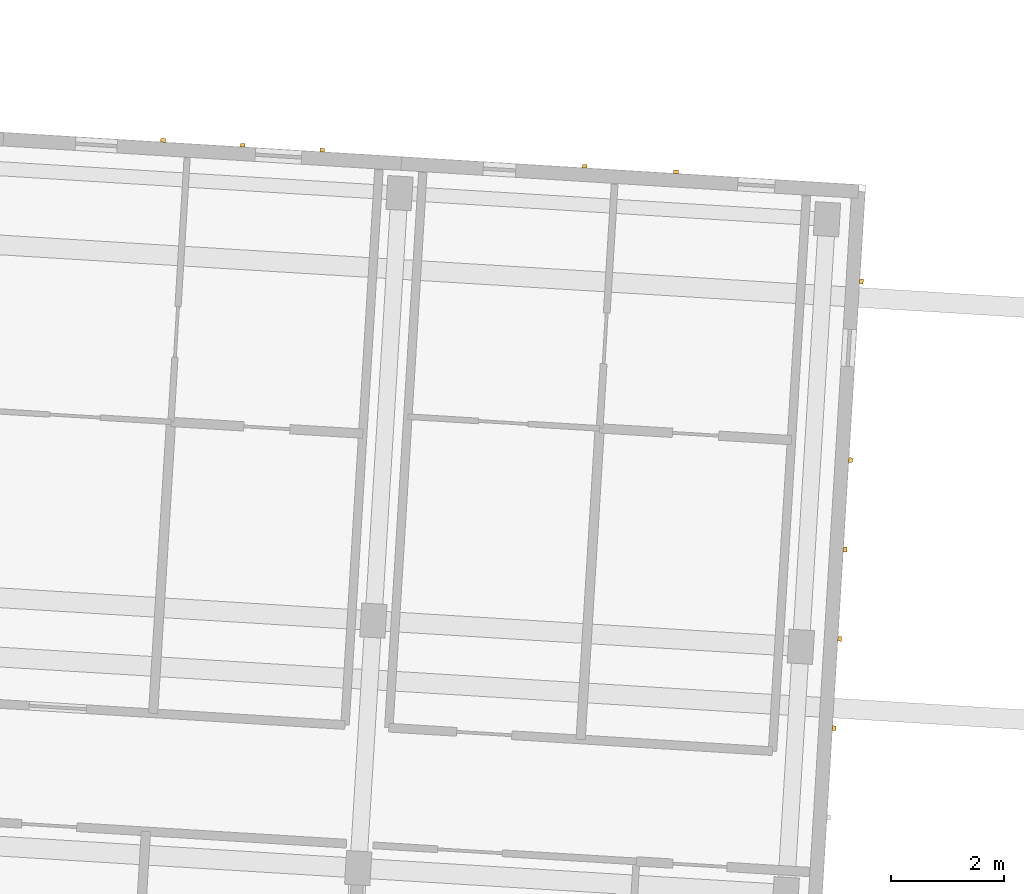
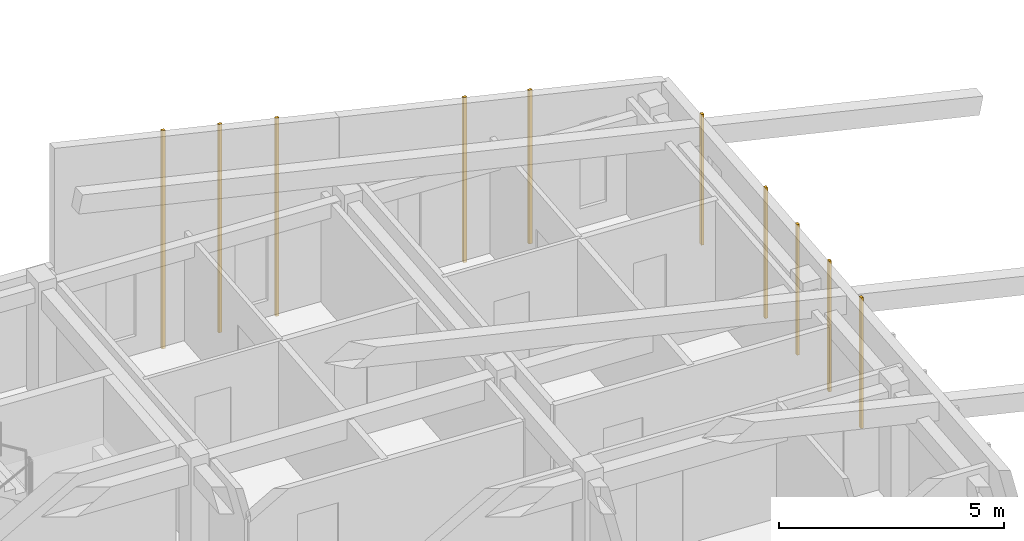
# One storey, part 46 of 56: 10 coverings.
"""IFC4 building model written with IfcOpenShell, lengths in metres."""

from ifc_helpers import new_model, si_unit, direction, frame, origin, origin_2d, place, context, subcontext, project, spatial, rectangle, extrude, material, layer, layer_set, type_object, element, save


model = new_model("IFC4")

# Units and contexts
model_context = context("Model", 3, precision=1e-05, world=origin(), true_north=direction((0.0, 1.0)))
body_context = subcontext(model_context, "Body", "Model", "MODEL_VIEW")
ifc_project = project(units=[si_unit("LENGTHUNIT", "METRE"), si_unit("AREAUNIT", "SQUARE_METRE"), si_unit("VOLUMEUNIT", "CUBIC_METRE"), si_unit("PLANEANGLEUNIT", "RADIAN"), si_unit("MASSUNIT", "GRAM", prefix="KILO")], contexts=[model_context])

# Site, building, storey
site_placement = place(None, origin())
site = spatial("IfcSite", under=ifc_project, at=site_placement, CompositionType="ELEMENT")
building_placement = place(site_placement, origin())
building = spatial("IfcBuilding", under=site, at=building_placement, Name="Kestramere Prow Commons", CompositionType="ELEMENT")
storey_placement = place(building_placement, frame((0.0, 0.0, 27.89990234375)))
storey = spatial("IfcBuildingStorey", under=building, at=storey_placement, Name="L08", CompositionType="ELEMENT", Elevation=27.89990234375)

# Coverings
ifc_material = material(Name="Weathered Zinc-Titanium Standing-Seam Cladding")
ifc_layer = layer(ifc_material, 0.074951171875)
ifc_layer_set = layer_set([ifc_layer], Name="Weathered Zinc-Titanium Standing-Seam Cladding")
covering_type = type_object("IfcCoveringType", Name="COV-CLAD-SEAM", PredefinedType="CLADDING", material=ifc_layer_set)
covering_1_placement = place(storey_placement, frame((86.84423828125, 65.14306640625, -0.25), z_axis=(0.0, 0.0, 1.0), x_axis=(0.998134798422, -0.061048539535, 0.0)))
element("IfcCovering", 1, at=covering_1_placement, inside=storey, type_object=covering_type, Name="EW-C-L08-N-3 Standing-Seam Rib 2", PredefinedType="CLADDING", context=body_context, shape_type="SweptSolid", body=[
    extrude(rectangle(XDim=0.0849609375, YDim=0.06494140625, at=origin_2d()), origin(), (0.0, 0.0, 1.0), 5.927490234375),
])
covering_2_placement = place(storey_placement, frame((88.256591796875, 65.056640625, -0.25), z_axis=(0.0, 0.0, 1.0), x_axis=(0.998134798422, -0.061048539535, 0.0)))
element("IfcCovering", 2, at=covering_2_placement, inside=storey, type_object=covering_type, Name="EW-C-L08-N-3 Standing-Seam Rib 3", PredefinedType="CLADDING", context=body_context, shape_type="SweptSolid", body=[
    extrude(rectangle(XDim=0.0849609375, YDim=0.06494140625, at=origin_2d()), origin(), (0.0, 0.0, 1.0), 5.6552734375),
])
covering_3_placement = place(storey_placement, frame((89.6689453125, 64.97021484375, -0.25), z_axis=(0.0, 0.0, 1.0), x_axis=(0.998134798422, -0.061048539535, 0.0)))
element("IfcCovering", 3, at=covering_3_placement, inside=storey, type_object=covering_type, Name="EW-C-L08-N-3 Standing-Seam Rib 4", PredefinedType="CLADDING", context=body_context, shape_type="SweptSolid", body=[
    extrude(rectangle(XDim=0.0849609375, YDim=0.06494140625, at=origin_2d()), origin(), (0.0, 0.0, 1.0), 5.383056640625),
])
covering_4_placement = place(storey_placement, frame((94.3251953125, 64.685302734375, -0.25), z_axis=(0.0, 0.0, 1.0), x_axis=(0.998134798422, -0.061048539535, 0.0)))
element("IfcCovering", 4, at=covering_4_placement, inside=storey, type_object=covering_type, Name="EW-C-L08-N-4 Standing-Seam Rib 2", PredefinedType="CLADDING", context=body_context, shape_type="SweptSolid", body=[
    extrude(rectangle(XDim=0.0849609375, YDim=0.06494140625, at=origin_2d()), origin(), (0.0, 0.0, 1.0), 4.4853515625),
])
covering_5_placement = place(storey_placement, frame((95.947021484375, 64.586181640625, -0.25), z_axis=(0.0, 0.0, 1.0), x_axis=(0.998134798422, -0.061048539535, 0.0)))
element("IfcCovering", 5, at=covering_5_placement, inside=storey, type_object=covering_type, Name="EW-C-L08-N-4 Standing-Seam Rib 3", PredefinedType="CLADDING", context=body_context, shape_type="SweptSolid", body=[
    extrude(rectangle(XDim=0.0849609375, YDim=0.06494140625, at=origin_2d()), origin(), (0.0, 0.0, 1.0), 4.172607421875),
])
for number, where, z_axis, x_axis, name in (
    (6, (99.237060546875, 62.640869140625, -0.25), (0.0, 0.0, 1.0), (-0.061048539535, -0.998134798422, 0.0), "EW-C-L08-EAV Standing-Seam Rib 1"),
    (7, (99.04296875, 59.4697265625, -0.25), (0.0, 0.0, 1.0), (-0.061048539535, -0.998134798422, 0.0), "EW-C-L08-EAV Standing-Seam Rib 3"),
    (8, (98.946044921875, 57.88427734375, -0.25), (0.0, 0.0, 1.0), (-0.061048539535, -0.998134798422, 0.0), "EW-C-L08-EAV Standing-Seam Rib 4"),
    (9, (98.84912109375, 56.298828125, -0.25), (0.0, 0.0, 1.0), (-0.061048539535, -0.998134798422, 0.0), "EW-C-L08-EAV Standing-Seam Rib 5"),
    (10, (98.752197265625, 54.71337890625, -0.25), (0.0, 0.0, 1.0), (-0.061048539535, -0.998134798422, 0.0), "EW-C-L08-EAV Standing-Seam Rib 6"),
):
    element("IfcCovering", number, at=place(storey_placement, frame(where, z_axis=z_axis, x_axis=x_axis)), inside=storey, type_object=covering_type, Name=name, PredefinedType="CLADDING", context=body_context, shape_type="SweptSolid", body=[
        extrude(rectangle(XDim=0.0849609375, YDim=0.06494140625, at=origin_2d()), origin(), (0.0, 0.0, 1.0), 3.54736328125),
    ])

save(model, "model.ifc")
